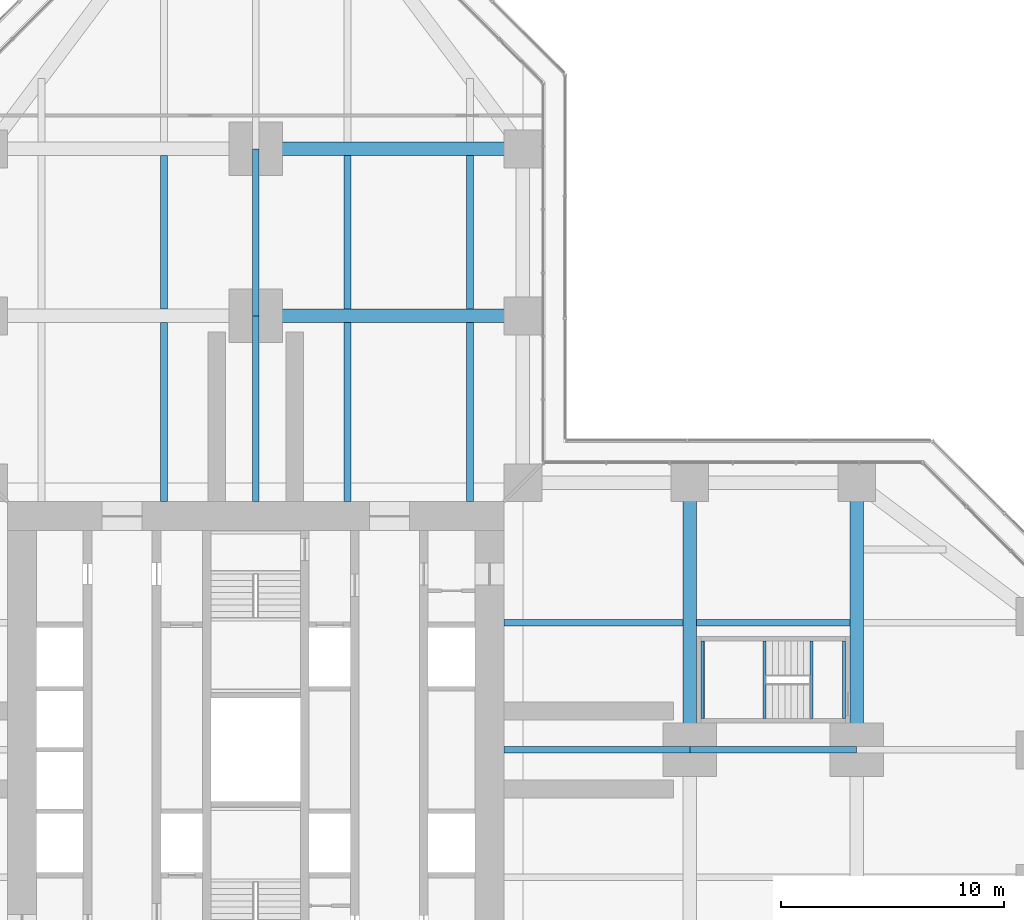
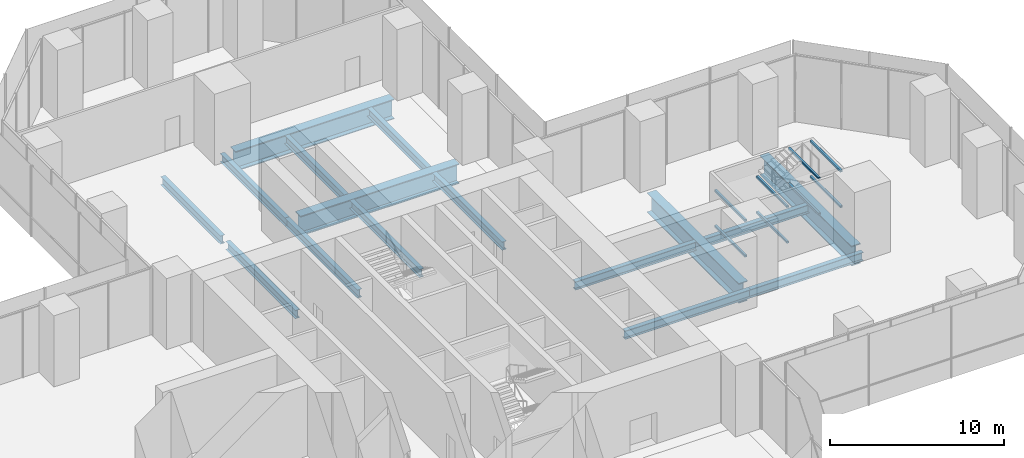
# One storey, part 9 of 23: 24 beams.
"""IFC4 building model written with IfcOpenShell, lengths in metres."""

import ifcopenshell
import ifcopenshell.guid

model = None  # the IFC model being written
_history = None  # IfcOwnerHistory: only IFC2X3 demands one
_inside = {}  # id of a spatial element -> (the spatial element, [elements in it])
_under = {}  # id of a project, library or spatial element -> (it, [spatial elements below it])
_declared = {}  # id of a project -> (the project, [libraries it declares])
_typed = {}  # id of a type object -> (the type object, [elements of that type])
_made_of = {}  # id of a material, layer set ... -> (it, [elements and type objects made of it])


def new_model(schema):
    """Start an empty IFC model of exactly this schema.

    Asked for "IFC4X3", IfcOpenShell would pick the latest addendum, in which some entities
    have other attributes; the version numbers below select the first issue.
    IFC2X3 requires an IfcOwnerHistory on every rooted entity: one is made here for all.
    """
    global model, _history
    if schema == "IFC4X3":
        model = ifcopenshell.file(schema_version=(4, 3, 0, 0))
    else:
        model = ifcopenshell.file(schema=schema)
    _inside.clear()
    _under.clear()
    _declared.clear()
    _typed.clear()
    _made_of.clear()
    _history = None
    if model.schema == "IFC2X3":
        org = make("IfcOrganization", Name="unknown")
        user = make(
            "IfcPersonAndOrganization",
            ThePerson=make("IfcPerson", FamilyName="unknown"),
            TheOrganization=org,
        )
        app = make(
            "IfcApplication",
            ApplicationDeveloper=org,
            Version="unknown",
            ApplicationFullName="unknown",
            ApplicationIdentifier="unknown",
        )
        _history = make(
            "IfcOwnerHistory",
            OwningUser=user,
            OwningApplication=app,
            ChangeAction="ADDED",
            CreationDate=0,
        )
    return model


def make(cls, **values):
    """One entity of the class cls with the attributes given. An attribute that is None is left unset."""
    return model.create_entity(
        cls, **{name: value for name, value in values.items() if value is not None}
    )


def rooted(cls, **values):
    """An entity with a GlobalId (a new one), such as an element, a storey or a relation."""
    return make(cls, GlobalId=ifcopenshell.guid.new(), OwnerHistory=_history, **values)


def si_unit(unit_type, name, prefix=None):
    """IfcSIUnit, for example si_unit("LENGTHUNIT", "METRE", prefix="MILLI")."""
    return make("IfcSIUnit", UnitType=unit_type, Prefix=prefix, Name=name)


def assignment(units):
    """IfcUnitAssignment: the units of a project."""
    return None if units is None else make("IfcUnitAssignment", Units=units)


def point(xyz):
    """IfcCartesianPoint."""
    return None if xyz is None else make("IfcCartesianPoint", Coordinates=xyz)


def direction(xyz):
    """IfcDirection."""
    return None if xyz is None else make("IfcDirection", DirectionRatios=xyz)


def frame(location, z_axis=None, x_axis=None):
    """IfcAxis2Placement3D, a coordinate frame: its origin and axes. An axis left out is left unset."""
    return make(
        "IfcAxis2Placement3D",
        Location=point(location),
        Axis=direction(z_axis),
        RefDirection=direction(x_axis),
    )


def frame_2d(location, x_axis=None):
    """IfcAxis2Placement2D, a coordinate frame in the plane: its origin and x axis."""
    return make(
        "IfcAxis2Placement2D", Location=point(location), RefDirection=direction(x_axis)
    )


def origin():
    """The frame at (0, 0, 0) with its axes left unset."""
    return frame((0.0, 0.0, 0.0))


def origin_2d():
    """The frame at (0, 0) in the plane with its x axis left unset."""
    return frame_2d((0.0, 0.0))


def place(relative_to, where):
    """IfcLocalPlacement: puts the frame where relative to a parent placement (None: the world)."""
    return make(
        "IfcLocalPlacement", PlacementRelTo=relative_to, RelativePlacement=where
    )


def context(
    kind, dimensions, precision=None, world=None, true_north=None, identifier=None
):
    """IfcGeometricRepresentationContext, for example the 3D "Model" context."""
    return make(
        "IfcGeometricRepresentationContext",
        ContextIdentifier=identifier,
        ContextType=kind,
        CoordinateSpaceDimension=dimensions,
        Precision=precision,
        WorldCoordinateSystem=world,
        TrueNorth=true_north,
    )


def subcontext(parent, identifier, kind, view, scale=None):
    """IfcGeometricRepresentationSubContext, for example "Body" below "Model"."""
    return make(
        "IfcGeometricRepresentationSubContext",
        ContextIdentifier=identifier,
        ContextType=kind,
        ParentContext=parent,
        TargetScale=scale,
        TargetView=view,
    )


def project(units=None, contexts=None):
    """IfcProject with its units and contexts."""
    return rooted(
        "IfcProject",
        Name="project",
        RepresentationContexts=contexts,
        UnitsInContext=assignment(units),
    )


def spatial(cls, under=None, at=None, **own):
    """A site, building, storey or space (cls), placed at a placement, below another one or the project."""
    s = rooted(cls, ObjectPlacement=at, **own)
    if under is not None:
        _under.setdefault(under.id(), (under, []))[1].append(s)
    return s


def profile(cls, at=None, kind="AREA", **sizes):
    """A parametric profile (cls). Its sizes go by their IFC names, for example OverallWidth=200.0."""
    return make(cls, ProfileType=kind, Position=at, **sizes)


def hollow_rectangle(**sizes):
    """IfcRectangleHollowProfileDef."""
    return profile("IfcRectangleHollowProfileDef", **sizes)


def i_section(**sizes):
    """IfcIShapeProfileDef."""
    return profile("IfcIShapeProfileDef", **sizes)


def extrude(swept, where, along, depth):
    """IfcExtrudedAreaSolid: the profile swept, set in the frame where, extruded along a direction by depth."""
    return make(
        "IfcExtrudedAreaSolid",
        SweptArea=swept,
        Position=where,
        ExtrudedDirection=direction(along),
        Depth=depth,
    )


def shape(context_of_items, identifier, shape_type, items):
    """IfcShapeRepresentation: the items that make up one representation, for example the "Body"."""
    return make(
        "IfcShapeRepresentation",
        ContextOfItems=context_of_items,
        RepresentationIdentifier=identifier,
        RepresentationType=shape_type,
        Items=items,
    )


def material(Name=None, Category=None):
    """IfcMaterial."""
    return make("IfcMaterial", Name=Name, Category=Category)


def material_profile(
    of_material, cross_section, Name=None, Category=None, Priority=None
):
    """IfcMaterialProfile: a cross section and its material."""
    return make(
        "IfcMaterialProfile",
        Name=Name,
        Material=of_material,
        Profile=cross_section,
        Priority=Priority,
        Category=Category,
    )


def profile_set(profiles, Name=None, composite=None):
    """IfcMaterialProfileSet."""
    return make(
        "IfcMaterialProfileSet",
        Name=Name,
        MaterialProfiles=profiles,
        CompositeProfile=composite,
    )


def made_of(thing, what):
    """Note that an element or type object is made of a material, layer set ...; save() writes the relation."""
    if what is not None:
        _made_of.setdefault(what.id(), (what, []))[1].append(thing)
    return thing


def type_object(cls, material=None, **own):
    """A type object (cls), such as IfcWallType, which elements share."""
    return made_of(rooted(cls, **own), material)


def element(
    cls,
    number,
    at=None,
    inside=None,
    cuts=None,
    type_object=None,
    material=None,
    context=None,
    identifier="Body",
    shape_type=None,
    held_by="IfcProductDefinitionShape",
    body=None,
    shapes=None,
    **own,
):
    """One element of the class cls, such as IfcWall. Its Tag is "e" and its number.

    at: its placement. inside: the storey or other place that contains it. cuts: it is an
    opening in that element (IfcRelVoidsElement). A single representation is given by context,
    identifier, shape_type and body (its items); several are given by shapes. held_by: the class
    of the entity that holds the representations. save() writes the other relations.
    """
    e = rooted(cls, Tag="e%d" % number, ObjectPlacement=at, **own)
    if body is not None:
        shapes = [shape(context, identifier, shape_type, body)]
    if shapes is not None:
        e.Representation = make(held_by, Representations=shapes)
    if inside is not None:
        _inside.setdefault(inside.id(), (inside, []))[1].append(e)
    if cuts is not None:
        rooted(
            "IfcRelVoidsElement", RelatingBuildingElement=cuts, RelatedOpeningElement=e
        )
    if type_object is not None:
        _typed.setdefault(type_object.id(), (type_object, []))[1].append(e)
    return made_of(e, material)


def aggregate(whole, parts):
    """IfcRelAggregates: a whole, such as a stair, and the parts it consists of."""
    return rooted("IfcRelAggregates", RelatingObject=whole, RelatedObjects=parts)


def save(model, path):
    """Write the relations noted so far, then the file.

    IfcRelAggregates (storeys below a building ...), IfcRelContainedInSpatialStructure (elements
    in a storey), IfcRelDefinesByType, IfcRelAssociatesMaterial and IfcRelDeclares: one each for
    every whole, place, type object, material and project.
    """
    for whole, parts in _under.values():
        aggregate(whole, parts)
    for where, things in _inside.values():
        rooted(
            "IfcRelContainedInSpatialStructure",
            RelatedElements=things,
            RelatingStructure=where,
        )
    for kind, things in _typed.values():
        rooted("IfcRelDefinesByType", RelatedObjects=things, RelatingType=kind)
    for what, things in _made_of.values():
        rooted("IfcRelAssociatesMaterial", RelatedObjects=things, RelatingMaterial=what)
    for by, libraries in _declared.values():
        rooted("IfcRelDeclares", RelatingContext=by, RelatedDefinitions=libraries)
    model.write(path)


model = new_model("IFC4")

# Units and contexts
model_context = context("Model", 3, precision=1e-05, world=origin(), true_north=direction((0.0, 1.0)))
body_context = subcontext(model_context, "Body", "Model", "MODEL_VIEW")
ifc_project = project(units=[si_unit("LENGTHUNIT", "METRE"), si_unit("AREAUNIT", "SQUARE_METRE"), si_unit("VOLUMEUNIT", "CUBIC_METRE"), si_unit("PLANEANGLEUNIT", "RADIAN"), si_unit("MASSUNIT", "GRAM", prefix="KILO")], contexts=[model_context])

# Site, building, storey
site_placement = place(None, origin())
site = spatial("IfcSite", under=ifc_project, at=site_placement, CompositionType="ELEMENT")
building_placement = place(site_placement, origin())
building = spatial("IfcBuilding", under=site, at=building_placement, Name="Mizan Broadcast Tower", CompositionType="ELEMENT")
storey_placement = place(building_placement, frame((0.0, 0.0, 28.0)))
storey = spatial("IfcBuildingStorey", under=building, at=storey_placement, Name="L04", CompositionType="ELEMENT", Elevation=28.0)

# Beams
ifc_material_1 = material(Name="Steel S460", Category="steel")
ifc_material_profile_1 = material_profile(ifc_material_1, i_section(OverallWidth=0.60009765625, OverallDepth=1.39990234375, WebThickness=0.02490234375, FlangeThickness=0.06005859375, at=origin_2d()), Name="WPG 1400x600")
ifc_profile_set_1 = profile_set([ifc_material_profile_1], Name="Steel S460")
beam_type_1 = type_object("IfcBeamType", Name="GIRDER WPG 1400x600", PredefinedType="BEAM", material=ifc_profile_set_1)
for number, where, z_axis, x_axis, name in (
    (1, (19.5, 0.719970703125, -0.949951171875), (0.0, 1.0, 0.0), (-1.0, 0.0, 0.0), "Girder WPG 1400x600 L04 east arm"),
    (2, (27.0, 0.719970703125, -0.949951171875), (0.0, 1.0, 0.0), (-1.0, 0.0, 0.0), "Girder WPG 1400x600 L04 east arm"),
    (3, (11.280029296875, 19.5, -0.949951171875), (-1.0, 0.0, 0.0), (0.0, -1.0, 0.0), "Girder WPG 1400x600 L04 north arm"),
    (4, (11.280029296875, 27.0, -0.949951171875), (-1.0, 0.0, 0.0), (0.0, -1.0, 0.0), "Girder WPG 1400x600 L04 north arm"),
):
    element("IfcBeam", number, at=place(storey_placement, frame(where, z_axis=z_axis, x_axis=x_axis)), inside=storey, type_object=beam_type_1, Name=name, PredefinedType="BEAM", context=body_context, shape_type="SweptSolid", body=[
        extrude(i_section(OverallWidth=0.60009765625, OverallDepth=1.39990234375, WebThickness=0.02490234375, FlangeThickness=0.06005859375, at=origin_2d()), origin(), (0.0, 0.0, 1.0), 10.56005859375),
    ])
ifc_material_2 = material(Name="Steel S355", Category="steel")
ifc_material_profile_2 = material_profile(ifc_material_2, hollow_rectangle(XDim=0.14990234375, YDim=0.14990234375, WallThickness=0.008056640625, InnerFilletRadius=0.008056640625, OuterFilletRadius=0.011962890625, at=origin_2d()), Name="SHS 150x150x8")
ifc_profile_set_2 = profile_set([ifc_material_profile_2], Name="Steel S355")
beam_type_2 = type_object("IfcBeamType", Name="LANDING TRIMMER SHS 150x150x8", PredefinedType="BEAM", material=ifc_profile_set_2)
for number, where, z_axis, x_axis, name in (
    (5, (22.85498046875, 1.39990234375, 0.97509765625), (0.0, 1.0, 0.0), (-1.0, 0.0, 0.0), "Stair C landing trimmer L04"),
    (6, (20.074951171875, 1.39990234375, 0.97509765625), (0.0, 1.0, 0.0), (-1.0, 0.0, 0.0), "Stair C landing trimmer L04"),
    (7, (26.425048828125, 1.39990234375, 2.22509765625), (0.0, 1.0, 0.0), (-1.0, 0.0, 0.0), "Stair C landing trimmer L04"),
    (8, (24.965087890625, 1.39990234375, 2.22509765625), (0.0, 1.0, 0.0), (-1.0, 0.0, 0.0), "Stair C landing trimmer L04"),
    (9, (22.85498046875, 1.39990234375, 3.47509765625), (0.0, 1.0, 0.0), (-1.0, 0.0, 0.0), "Stair C landing trimmer L04"),
    (10, (20.074951171875, 1.39990234375, 3.47509765625), (0.0, 1.0, 0.0), (-1.0, 0.0, 0.0), "Stair C landing trimmer L04"),
    (11, (26.425048828125, 1.39990234375, 4.72509765625), (0.0, 1.0, 0.0), (-1.0, 0.0, 0.0), "Stair C landing trimmer L04"),
    (12, (24.965087890625, 1.39990234375, 4.72509765625), (0.0, 1.0, 0.0), (-1.0, 0.0, 0.0), "Stair C landing trimmer L04"),
):
    element("IfcBeam", number, at=place(storey_placement, frame(where, z_axis=z_axis, x_axis=x_axis)), inside=storey, type_object=beam_type_2, Name=name, PredefinedType="BEAM", context=body_context, shape_type="SweptSolid", body=[
        extrude(hollow_rectangle(XDim=0.14990234375, YDim=0.14990234375, WallThickness=0.008056640625, InnerFilletRadius=0.008056640625, OuterFilletRadius=0.011962890625, at=origin_2d()), origin(), (0.0, 0.0, 1.0), 3.5),
    ])
ifc_material_3 = material(Name="Steel S355", Category="steel")
ifc_material_profile_3 = material_profile(ifc_material_3, i_section(OverallWidth=0.300048828125, OverallDepth=0.590087890625, WebThickness=0.012939453125, FlangeThickness=0.02490234375, FilletRadius=0.027099609375, at=origin_2d()), Name="HEA 600")
ifc_profile_set_3 = profile_set([ifc_material_profile_3], Name="Steel S355")
beam_type_3 = type_object("IfcBeamType", Name="SECONDARY BEAM HEA 600", PredefinedType="JOIST", material=ifc_profile_set_3)
beam_1_placement = place(storey_placement, frame((11.14990234375, 0.0, -0.544921875), z_axis=(1.0, 0.0, 0.0), x_axis=(0.0, 1.0, 0.0)))
element("IfcBeam", 13, at=beam_1_placement, inside=storey, type_object=beam_type_3, Name="Secondary beam HEA 600 L04 east arm", PredefinedType="JOIST", context=body_context, shape_type="SweptSolid", body=[
    extrude(i_section(OverallWidth=0.300048828125, OverallDepth=0.590087890625, WebThickness=0.012939453125, FlangeThickness=0.02490234375, FilletRadius=0.027099609375, at=origin_2d()), origin(), (0.0, 0.0, 1.0), 8.35009765625),
])
beam_2_placement = place(storey_placement, frame((19.5, 0.0, -0.544921875), z_axis=(1.0, 0.0, 0.0), x_axis=(0.0, 1.0, 0.0)))
element("IfcBeam", 14, at=beam_2_placement, inside=storey, type_object=beam_type_3, Name="Secondary beam HEA 600 L04 east arm", PredefinedType="JOIST", context=body_context, shape_type="SweptSolid", body=[
    extrude(i_section(OverallWidth=0.300048828125, OverallDepth=0.590087890625, WebThickness=0.012939453125, FlangeThickness=0.02490234375, FilletRadius=0.027099609375, at=origin_2d()), origin(), (0.0, 0.0, 1.0), 7.5),
])
beam_3_placement = place(storey_placement, frame((11.14990234375, 5.71435546875, -0.544921875), z_axis=(1.0, 0.0, 0.0), x_axis=(0.0, 1.0, 0.0)))
element("IfcBeam", 15, at=beam_3_placement, inside=storey, type_object=beam_type_3, Name="Secondary beam HEA 600 L04 east arm", PredefinedType="JOIST", context=body_context, shape_type="SweptSolid", body=[
    extrude(i_section(OverallWidth=0.300048828125, OverallDepth=0.590087890625, WebThickness=0.012939453125, FlangeThickness=0.02490234375, FilletRadius=0.027099609375, at=origin_2d()), origin(), (0.0, 0.0, 1.0), 8.050048828125),
])
beam_4_placement = place(storey_placement, frame((19.800048828125, 5.71435546875, -0.544921875), z_axis=(1.0, 0.0, 0.0), x_axis=(0.0, 1.0, 0.0)))
element("IfcBeam", 16, at=beam_4_placement, inside=storey, type_object=beam_type_3, Name="Secondary beam HEA 600 L04 east arm", PredefinedType="JOIST", context=body_context, shape_type="SweptSolid", body=[
    extrude(i_section(OverallWidth=0.300048828125, OverallDepth=0.590087890625, WebThickness=0.012939453125, FlangeThickness=0.02490234375, FilletRadius=0.027099609375, at=origin_2d()), origin(), (0.0, 0.0, 1.0), 6.89990234375),
])
beam_5_placement = place(storey_placement, frame((9.625, 11.14990234375, -0.544921875), z_axis=(0.0, 1.0, 0.0), x_axis=(-1.0, 0.0, 0.0)))
element("IfcBeam", 17, at=beam_5_placement, inside=storey, type_object=beam_type_3, Name="Secondary beam HEA 600 L04 north arm", PredefinedType="JOIST", context=body_context, shape_type="SweptSolid", body=[
    extrude(i_section(OverallWidth=0.300048828125, OverallDepth=0.590087890625, WebThickness=0.012939453125, FlangeThickness=0.02490234375, FilletRadius=0.027099609375, at=origin_2d()), origin(), (0.0, 0.0, 1.0), 8.050048828125),
])
beam_6_placement = place(storey_placement, frame((9.625, 19.800048828125, -0.544921875), z_axis=(0.0, 1.0, 0.0), x_axis=(-1.0, 0.0, 0.0)))
element("IfcBeam", 18, at=beam_6_placement, inside=storey, type_object=beam_type_3, Name="Secondary beam HEA 600 L04 north arm", PredefinedType="JOIST", context=body_context, shape_type="SweptSolid", body=[
    extrude(i_section(OverallWidth=0.300048828125, OverallDepth=0.590087890625, WebThickness=0.012939453125, FlangeThickness=0.02490234375, FilletRadius=0.027099609375, at=origin_2d()), origin(), (0.0, 0.0, 1.0), 6.89990234375),
])
beam_7_placement = place(storey_placement, frame((4.125, 11.14990234375, -0.544921875), z_axis=(0.0, 1.0, 0.0), x_axis=(-1.0, 0.0, 0.0)))
element("IfcBeam", 19, at=beam_7_placement, inside=storey, type_object=beam_type_3, Name="Secondary beam HEA 600 L04 north arm", PredefinedType="JOIST", context=body_context, shape_type="SweptSolid", body=[
    extrude(i_section(OverallWidth=0.300048828125, OverallDepth=0.590087890625, WebThickness=0.012939453125, FlangeThickness=0.02490234375, FilletRadius=0.027099609375, at=origin_2d()), origin(), (0.0, 0.0, 1.0), 8.050048828125),
])
beam_8_placement = place(storey_placement, frame((4.125, 19.800048828125, -0.544921875), z_axis=(0.0, 1.0, 0.0), x_axis=(-1.0, 0.0, 0.0)))
element("IfcBeam", 20, at=beam_8_placement, inside=storey, type_object=beam_type_3, Name="Secondary beam HEA 600 L04 north arm", PredefinedType="JOIST", context=body_context, shape_type="SweptSolid", body=[
    extrude(i_section(OverallWidth=0.300048828125, OverallDepth=0.590087890625, WebThickness=0.012939453125, FlangeThickness=0.02490234375, FilletRadius=0.027099609375, at=origin_2d()), origin(), (0.0, 0.0, 1.0), 6.89990234375),
])
beam_9_placement = place(storey_placement, frame((0.0, 11.14990234375, -0.544921875), z_axis=(0.0, 1.0, 0.0), x_axis=(-1.0, 0.0, 0.0)))
element("IfcBeam", 21, at=beam_9_placement, inside=storey, type_object=beam_type_3, Name="Secondary beam HEA 600 L04 north arm", PredefinedType="JOIST", context=body_context, shape_type="SweptSolid", body=[
    extrude(i_section(OverallWidth=0.300048828125, OverallDepth=0.590087890625, WebThickness=0.012939453125, FlangeThickness=0.02490234375, FilletRadius=0.027099609375, at=origin_2d()), origin(), (0.0, 0.0, 1.0), 8.35009765625),
])
beam_10_placement = place(storey_placement, frame((0.0, 19.5, -0.544921875), z_axis=(0.0, 1.0, 0.0), x_axis=(-1.0, 0.0, 0.0)))
element("IfcBeam", 22, at=beam_10_placement, inside=storey, type_object=beam_type_3, Name="Secondary beam HEA 600 L04 north arm", PredefinedType="JOIST", context=body_context, shape_type="SweptSolid", body=[
    extrude(i_section(OverallWidth=0.300048828125, OverallDepth=0.590087890625, WebThickness=0.012939453125, FlangeThickness=0.02490234375, FilletRadius=0.027099609375, at=origin_2d()), origin(), (0.0, 0.0, 1.0), 7.5),
])
beam_11_placement = place(storey_placement, frame((-4.125, 11.14990234375, -0.544921875), z_axis=(0.0, 1.0, 0.0), x_axis=(-1.0, 0.0, 0.0)))
element("IfcBeam", 23, at=beam_11_placement, inside=storey, type_object=beam_type_3, Name="Secondary beam HEA 600 L04 north arm", PredefinedType="JOIST", context=body_context, shape_type="SweptSolid", body=[
    extrude(i_section(OverallWidth=0.300048828125, OverallDepth=0.590087890625, WebThickness=0.012939453125, FlangeThickness=0.02490234375, FilletRadius=0.027099609375, at=origin_2d()), origin(), (0.0, 0.0, 1.0), 8.050048828125),
])
beam_12_placement = place(storey_placement, frame((-4.125, 19.800048828125, -0.544921875), z_axis=(0.0, 1.0, 0.0), x_axis=(-1.0, 0.0, 0.0)))
element("IfcBeam", 24, at=beam_12_placement, inside=storey, type_object=beam_type_3, Name="Secondary beam HEA 600 L04 north arm", PredefinedType="JOIST", context=body_context, shape_type="SweptSolid", body=[
    extrude(i_section(OverallWidth=0.300048828125, OverallDepth=0.590087890625, WebThickness=0.012939453125, FlangeThickness=0.02490234375, FilletRadius=0.027099609375, at=origin_2d()), origin(), (0.0, 0.0, 1.0), 6.89990234375),
])

save(model, "model.ifc")
